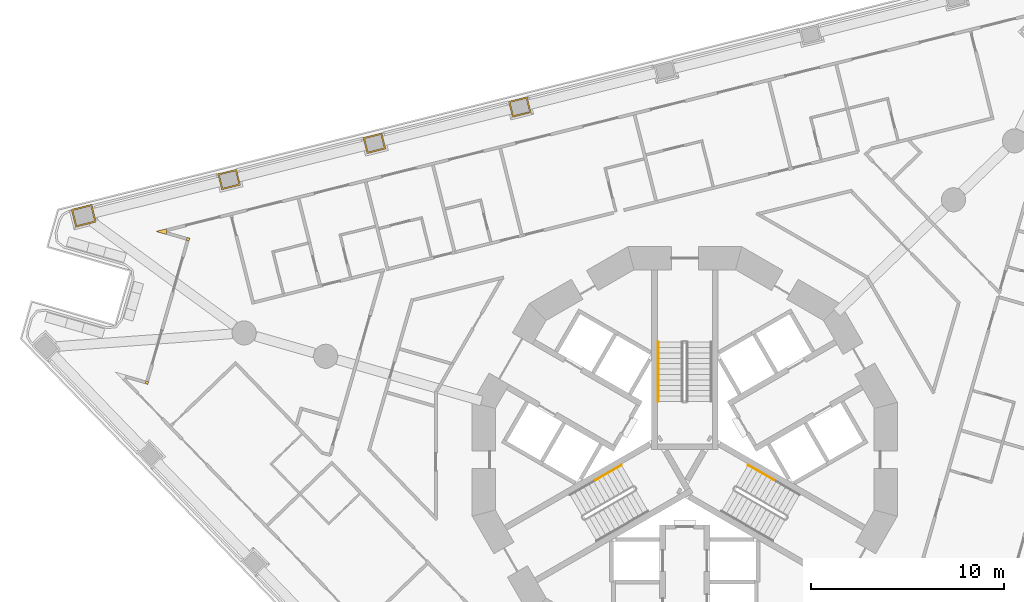
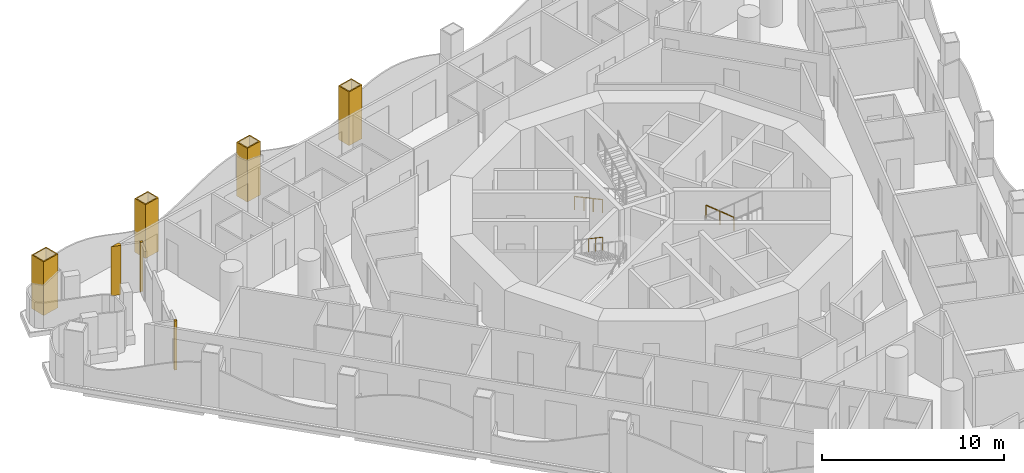
# One storey, part 15 of 18: 7 coverings, 3 railings.
"""IFC4 building model written with IfcOpenShell, lengths in metres."""

from ifc_helpers import new_model, si_unit, direction, frame, origin, origin_2d, place, context, subcontext, project, spatial, polyline, circle, outline, extrude, material, layer, layer_set, type_object, element, save


model = new_model("IFC4")

# Units and contexts
model_context = context("Model", 3, precision=1e-05, world=origin(), true_north=direction((0.0, 1.0)))
body_context = subcontext(model_context, "Body", "Model", "MODEL_VIEW")
ifc_project = project(units=[si_unit("LENGTHUNIT", "METRE"), si_unit("AREAUNIT", "SQUARE_METRE"), si_unit("VOLUMEUNIT", "CUBIC_METRE"), si_unit("PLANEANGLEUNIT", "RADIAN"), si_unit("MASSUNIT", "GRAM", prefix="KILO")], contexts=[model_context])

# Site, building, storey
site_placement = place(None, origin())
site = spatial("IfcSite", under=ifc_project, at=site_placement, CompositionType="ELEMENT")
building_placement = place(site_placement, origin())
building = spatial("IfcBuilding", under=site, at=building_placement, Name="Trine Commons Tower", CompositionType="ELEMENT")
storey_placement = place(building_placement, frame((0.0, 0.0, 90.89990234375)))
storey = spatial("IfcBuildingStorey", under=building, at=storey_placement, Name="L22", CompositionType="ELEMENT", Elevation=90.89990234375)

# Coverings
ifc_material_1 = material(Name="Aluminium-framed insulated wall panel", Category="aluminium")
ifc_layer_1 = layer(ifc_material_1, 0.14990234375)
ifc_layer_set_1 = layer_set([ifc_layer_1], Name="Aluminium-framed insulated wall panel")
covering_type_1 = type_object("IfcCoveringType", Name="Glazing corner post, aluminium", PredefinedType="CLADDING", material=ifc_layer_set_1)
covering_1_placement = place(storey_placement, origin())
element("IfcCovering", 1, at=covering_1_placement, inside=storey, type_object=covering_type_1, Name="Glazing corner post 3-02", PredefinedType="CLADDING", context=body_context, shape_type="SweptSolid", body=[
    extrude(outline(polyline([(52.048828125, 66.416015625), (52.193115234375, 66.374755859375), (52.234375, 66.518798828125), (52.090087890625, 66.560302734375), (52.048828125, 66.416015625)])), origin(), (0.0, 0.0, 1.0), 3.300048828125),
])
covering_2_placement = place(storey_placement, origin())
element("IfcCovering", 2, at=covering_2_placement, inside=storey, type_object=covering_type_1, Name="Glazing corner post 3-03", PredefinedType="CLADDING", context=body_context, shape_type="SweptSolid", body=[
    extrude(outline(polyline([(54.32373046875, 73.805419921875), (54.364990234375, 73.949462890625), (54.220703125, 73.99072265625), (54.179443359375, 73.8466796875), (54.32373046875, 73.805419921875)])), origin(), (0.0, 0.0, 1.0), 3.300048828125),
])
covering_3_placement = place(storey_placement, origin())
element("IfcCovering", 3, at=covering_3_placement, inside=storey, type_object=covering_type_1, Name="Glazing corner post 3-04", PredefinedType="CLADDING", context=body_context, shape_type="SweptSolid", body=[
    extrude(outline(polyline([(53.1357421875, 74.14599609375), (53.17724609375, 74.2900390625), (53.140869140625, 74.435546875), (52.59765625, 74.30029296875), (53.1357421875, 74.14599609375)])), origin(), (0.0, 0.0, 1.0), 3.300048828125),
])
ifc_material_2 = material(Name="Limestone, honed", Category="masonry")
ifc_layer_2 = layer(ifc_material_2, 0.074951171875)
ifc_layer_set_2 = layer_set([ifc_layer_2], Name="Limestone, honed")
covering_type_2 = type_object("IfcCoveringType", Name="Limestone column cladding 75", PredefinedType="CLADDING", material=ifc_layer_set_2)
covering_4_placement = place(storey_placement, origin())
element("IfcCovering", 4, at=covering_4_placement, inside=storey, type_object=covering_type_2, Name="Limestone pier cladding 3-09", PredefinedType="CLADDING", context=body_context, shape_type="SweptSolid", body=[
    extrude(outline(polyline([(49.520751953125, 74.785400390625), (49.291015625, 75.70703125), (48.2236328125, 75.44091796875), (48.45361328125, 74.519287109375), (49.520751953125, 74.785400390625)]), holes=[polyline([(49.429931640625, 74.83984375), (49.236328125, 75.6162109375), (48.314453125, 75.38623046875), (48.508056640625, 74.610107421875), (49.429931640625, 74.83984375)])]), origin(), (0.0, 0.0, 1.0), 3.60009765625),
])
covering_5_placement = place(storey_placement, origin())
element("IfcCovering", 5, at=covering_5_placement, inside=storey, type_object=covering_type_2, Name="Limestone pier cladding 3-10", PredefinedType="CLADDING", context=body_context, shape_type="SweptSolid", body=[
    extrude(outline(polyline([(56.9873046875, 76.698486328125), (56.78173828125, 77.523193359375), (55.811279296875, 77.28125), (56.01708984375, 76.45654296875), (56.9873046875, 76.698486328125)]), holes=[polyline([(56.896484375, 76.7529296875), (56.72705078125, 77.43212890625), (55.90234375, 77.2265625), (56.07177734375, 76.54736328125), (56.896484375, 76.7529296875)])]), origin(), (0.0, 0.0, 1.0), 3.60009765625),
])
covering_6_placement = place(storey_placement, origin())
element("IfcCovering", 6, at=covering_6_placement, inside=storey, type_object=covering_type_2, Name="Limestone pier cladding 3-11", PredefinedType="CLADDING", context=body_context, shape_type="SweptSolid", body=[
    extrude(outline(polyline([(64.5146484375, 78.5751953125), (64.308837890625, 79.39990234375), (63.338623046875, 79.157958984375), (63.544189453125, 78.333251953125), (64.5146484375, 78.5751953125)]), holes=[polyline([(64.423583984375, 78.6298828125), (64.25439453125, 79.30908203125), (63.4296875, 79.103515625), (63.598876953125, 78.42431640625), (64.423583984375, 78.6298828125)])]), origin(), (0.0, 0.0, 1.0), 3.60009765625),
])
covering_7_placement = place(storey_placement, origin())
element("IfcCovering", 7, at=covering_7_placement, inside=storey, type_object=covering_type_2, Name="Limestone pier cladding 3-12", PredefinedType="CLADDING", context=body_context, shape_type="SweptSolid", body=[
    extrude(outline(polyline([(72.0419921875, 80.451904296875), (71.836181640625, 81.276611328125), (70.865966796875, 81.03466796875), (71.071533203125, 80.2099609375), (72.0419921875, 80.451904296875)]), holes=[polyline([(71.950927734375, 80.506591796875), (71.781494140625, 81.185791015625), (70.956787109375, 80.97998046875), (71.126220703125, 80.30078125), (71.950927734375, 80.506591796875)])]), origin(), (0.0, 0.0, 1.0), 3.60009765625),
])

# Railings
ifc_material_3 = material(Name="Stainless steel handrail", Category="steel")
railing_type = type_object("IfcRailingType", Name="Stair handrail, steel 900", PredefinedType="HANDRAIL", material=ifc_material_3)
railing_1_placement = place(storey_placement, frame((78.625, 68.570556640625, 0.150146484375)))
element("IfcRailing", 8, at=railing_1_placement, inside=storey, type_object=railing_type, Name="L22 ST1A stair handrail 1", PredefinedType="HANDRAIL", context=body_context, shape_type="SweptSolid", body=[
    extrude(circle(Radius=0.02099609375, at=origin_2d()), frame((0.0, 0.0, 0.87890625), z_axis=(0.0, -0.881496589024, 0.472190389079), x_axis=(1.0, 0.0, 0.0)), (0.0, 0.0, 1.0), 3.494140625),
    extrude(circle(Radius=0.01513671875, at=origin_2d()), origin(), (0.0, 0.0, 1.0), 0.85791015625),
    extrude(circle(Radius=0.01513671875, at=origin_2d()), frame((0.0, -1.026611328125, 0.550048828125)), (0.0, 0.0, 1.0), 0.85791015625),
    extrude(circle(Radius=0.01513671875, at=origin_2d()), frame((0.0, -2.053466796875, 1.099853515625)), (0.0, 0.0, 1.0), 0.85791015625),
    extrude(circle(Radius=0.01513671875, at=origin_2d()), frame((0.0, -3.080078125, 1.64990234375)), (0.0, 0.0, 1.0), 0.85791015625),
])
railing_2_placement = place(storey_placement, frame((76.72265625, 62.195556640625, 1.9501953125)))
element("IfcRailing", 9, at=railing_2_placement, inside=storey, type_object=railing_type, Name="L22 ST2A stair handrail 3", PredefinedType="HANDRAIL", context=body_context, shape_type="SweptSolid", body=[
    extrude(circle(Radius=0.02099609375, at=origin_2d()), frame((0.0, 0.0, 0.87890625), z_axis=(-0.76340495495, -0.440743040072, 0.472184759798), x_axis=(0.499992328818, -0.866029832698, 0.0)), (0.0, 0.0, 1.0), 1.7470703125),
    extrude(circle(Radius=0.01513671875, at=origin_2d()), origin(), (0.0, 0.0, 1.0), 0.85791015625),
    extrude(circle(Radius=0.01513671875, at=origin_2d()), frame((-0.6669921875, -0.385009765625, 0.41259765625)), (0.0, 0.0, 1.0), 0.85791015625),
    extrude(circle(Radius=0.01513671875, at=origin_2d()), frame((-1.333740234375, -0.77001953125, 0.824951171875)), (0.0, 0.0, 1.0), 0.85791015625),
])
railing_3_placement = place(storey_placement, frame((84.611083984375, 61.425537109375, 0.97509765625)))
element("IfcRailing", 10, at=railing_3_placement, inside=storey, type_object=railing_type, Name="L22 ST3A stair handrail 2", PredefinedType="HANDRAIL", context=body_context, shape_type="SweptSolid", body=[
    extrude(circle(Radius=0.02099609375, at=origin_2d()), frame((0.0, 0.0, 0.87890625), z_axis=(-0.76340495495, 0.440743040072, 0.472184759798), x_axis=(-0.499992328818, -0.866029832698, 0.0)), (0.0, 0.0, 1.0), 1.7470703125),
    extrude(circle(Radius=0.01513671875, at=origin_2d()), origin(), (0.0, 0.0, 1.0), 0.85791015625),
    extrude(circle(Radius=0.01513671875, at=origin_2d()), frame((-0.6669921875, 0.385009765625, 0.41259765625)), (0.0, 0.0, 1.0), 0.85791015625),
    extrude(circle(Radius=0.01513671875, at=origin_2d()), frame((-1.333740234375, 0.77001953125, 0.824951171875)), (0.0, 0.0, 1.0), 0.85791015625),
])

save(model, "model.ifc")
